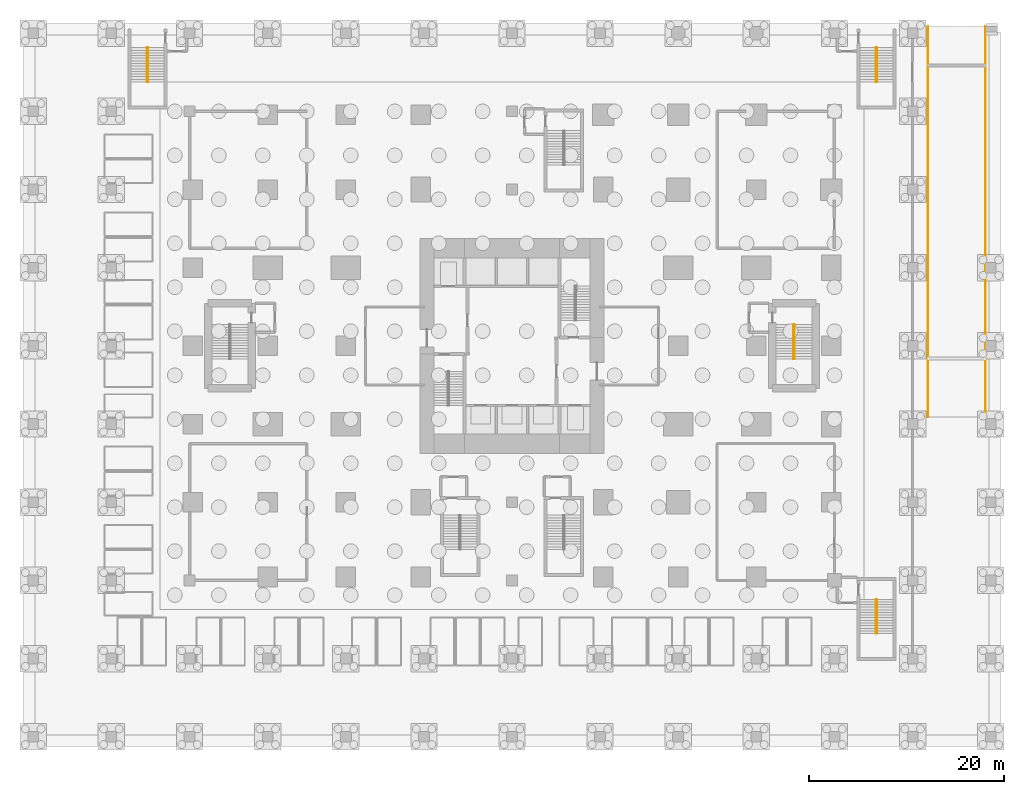
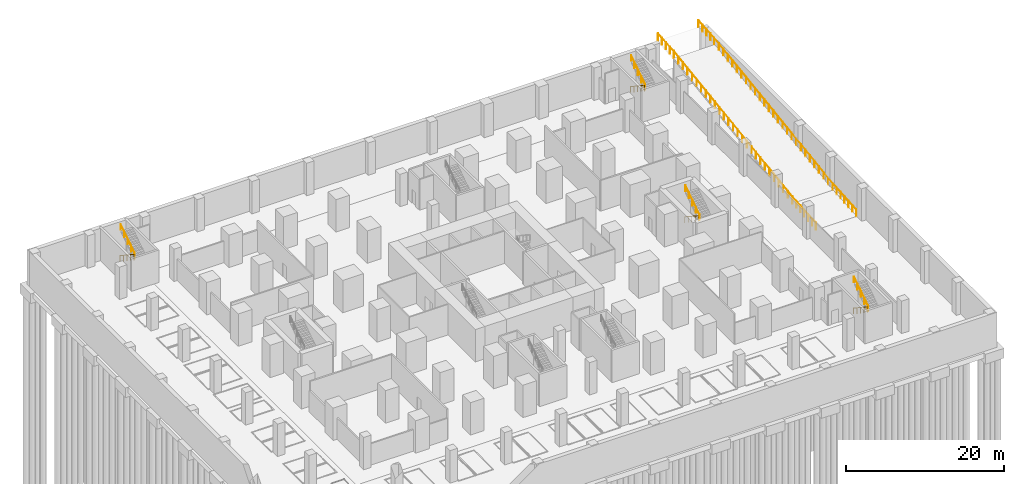
# One storey, part 16 of 17: 10 railings.
"""IFC4 building model written with IfcOpenShell, lengths in metres."""

from ifc_helpers import new_model, si_unit, direction, frame, origin, origin_2d, place, context, subcontext, project, spatial, circle, extrude, material, type_object, element, save


model = new_model("IFC4")

# Units and contexts
model_context = context("Model", 3, precision=1e-05, world=origin(), true_north=direction((0.0, 1.0)))
body_context = subcontext(model_context, "Body", "Model", "MODEL_VIEW")
ifc_project = project(units=[si_unit("LENGTHUNIT", "METRE"), si_unit("AREAUNIT", "SQUARE_METRE"), si_unit("VOLUMEUNIT", "CUBIC_METRE"), si_unit("PLANEANGLEUNIT", "RADIAN"), si_unit("MASSUNIT", "GRAM", prefix="KILO")], contexts=[model_context])

# Site, building, storey
site_placement = place(None, origin())
site = spatial("IfcSite", under=ifc_project, at=site_placement, CompositionType="ELEMENT")
building_placement = place(site_placement, origin())
building = spatial("IfcBuilding", under=site, at=building_placement, Name="Cleftline Residences", CompositionType="ELEMENT")
storey_placement = place(building_placement, frame((0.0, 0.0, -5.0)))
storey = spatial("IfcBuildingStorey", under=building, at=storey_placement, Name="L-01", CompositionType="ELEMENT", Elevation=-5.0)

# Railings
ifc_material_1 = material(Name="Stainless steel", Category="steel")
railing_type_1 = type_object("IfcRailingType", Name="HANDRAIL 900", PredefinedType="HANDRAIL", material=ifc_material_1)
railing_1_placement = place(storey_placement, frame((61.824951171875, 26.175048828125, 0.1787109375)))
element("IfcRailing", 1, at=railing_1_placement, inside=storey, type_object=railing_type_1, Name="Stair handrail", PredefinedType="HANDRAIL", context=body_context, shape_type="SweptSolid", body=[
    extrude(circle(Radius=0.02392578125, at=origin_2d()), frame((0.0, 0.0, 0.8759765625), z_axis=(0.0, -0.834097473627, 0.551617081397), x_axis=(1.0, 0.0, 0.0)), (0.0, 0.0, 1.0), 4.208251953125),
    extrude(circle(Radius=0.02099609375, at=origin_2d()), origin(), (0.0, 0.0, 1.0), 0.851806640625),
    extrude(circle(Radius=0.02099609375, at=origin_2d()), frame((0.0, -0.87744140625, 0.580322265625)), (0.0, 0.0, 1.0), 0.851806640625),
    extrude(circle(Radius=0.02099609375, at=origin_2d()), frame((0.0, -1.7548828125, 1.16064453125)), (0.0, 0.0, 1.0), 0.851806640625),
    extrude(circle(Radius=0.02099609375, at=origin_2d()), frame((0.0, -2.632568359375, 1.740966796875)), (0.0, 0.0, 1.0), 0.851806640625),
    extrude(circle(Radius=0.02099609375, at=origin_2d()), frame((0.0, -3.510009765625, 2.3212890625)), (0.0, 0.0, 1.0), 0.851806640625),
])
railing_2_placement = place(storey_placement, frame((61.925048828125, 22.6650390625, 2.6787109375)))
element("IfcRailing", 2, at=railing_2_placement, inside=storey, type_object=railing_type_1, Name="Stair handrail", PredefinedType="HANDRAIL", context=body_context, shape_type="SweptSolid", body=[
    extrude(circle(Radius=0.02392578125, at=origin_2d()), frame((0.0, 0.0, 0.8759765625), z_axis=(0.0, 0.834097473627, 0.551617081397), x_axis=(-1.0, 0.0, 0.0)), (0.0, 0.0, 1.0), 4.208251953125),
    extrude(circle(Radius=0.02099609375, at=origin_2d()), origin(), (0.0, 0.0, 1.0), 0.851806640625),
    extrude(circle(Radius=0.02099609375, at=origin_2d()), frame((0.0, 0.87744140625, 0.580322265625)), (0.0, 0.0, 1.0), 0.851806640625),
    extrude(circle(Radius=0.02099609375, at=origin_2d()), frame((0.0, 1.7548828125, 1.16064453125)), (0.0, 0.0, 1.0), 0.851806640625),
    extrude(circle(Radius=0.02099609375, at=origin_2d()), frame((0.0, 2.632568359375, 1.740966796875)), (0.0, 0.0, 1.0), 0.851806640625),
    extrude(circle(Radius=0.02099609375, at=origin_2d()), frame((0.0, 3.510009765625, 2.3212890625)), (0.0, 0.0, 1.0), 0.851806640625),
])
railing_3_placement = place(storey_placement, frame((70.25, 54.52001953125, 0.1787109375)))
element("IfcRailing", 3, at=railing_3_placement, inside=storey, type_object=railing_type_1, Name="Stair handrail", PredefinedType="HANDRAIL", context=body_context, shape_type="SweptSolid", body=[
    extrude(circle(Radius=0.02392578125, at=origin_2d()), frame((0.0, 0.0, 0.8759765625), z_axis=(0.0, -0.834097473627, 0.551617081397), x_axis=(1.0, 0.0, 0.0)), (0.0, 0.0, 1.0), 4.208251953125),
    extrude(circle(Radius=0.02099609375, at=origin_2d()), origin(), (0.0, 0.0, 1.0), 0.851806640625),
    extrude(circle(Radius=0.02099609375, at=origin_2d()), frame((0.0, -0.87744140625, 0.580322265625)), (0.0, 0.0, 1.0), 0.851806640625),
    extrude(circle(Radius=0.02099609375, at=origin_2d()), frame((0.0, -1.7548828125, 1.16064453125)), (0.0, 0.0, 1.0), 0.851806640625),
    extrude(circle(Radius=0.02099609375, at=origin_2d()), frame((0.0, -2.632568359375, 1.740966796875)), (0.0, 0.0, 1.0), 0.851806640625),
    extrude(circle(Radius=0.02099609375, at=origin_2d()), frame((0.0, -3.510009765625, 2.3212890625)), (0.0, 0.0, 1.0), 0.851806640625),
])
railing_4_placement = place(storey_placement, frame((70.35009765625, 51.010009765625, 2.6787109375)))
element("IfcRailing", 4, at=railing_4_placement, inside=storey, type_object=railing_type_1, Name="Stair handrail", PredefinedType="HANDRAIL", context=body_context, shape_type="SweptSolid", body=[
    extrude(circle(Radius=0.02392578125, at=origin_2d()), frame((0.0, 0.0, 0.8759765625), z_axis=(0.0, 0.834097473627, 0.551617081397), x_axis=(-1.0, 0.0, 0.0)), (0.0, 0.0, 1.0), 4.208251953125),
    extrude(circle(Radius=0.02099609375, at=origin_2d()), origin(), (0.0, 0.0, 1.0), 0.851806640625),
    extrude(circle(Radius=0.02099609375, at=origin_2d()), frame((0.0, 0.87744140625, 0.580322265625)), (0.0, 0.0, 1.0), 0.851806640625),
    extrude(circle(Radius=0.02099609375, at=origin_2d()), frame((0.0, 1.7548828125, 1.16064453125)), (0.0, 0.0, 1.0), 0.851806640625),
    extrude(circle(Radius=0.02099609375, at=origin_2d()), frame((0.0, 2.632568359375, 1.740966796875)), (0.0, 0.0, 1.0), 0.851806640625),
    extrude(circle(Radius=0.02099609375, at=origin_2d()), frame((0.0, 3.510009765625, 2.3212890625)), (0.0, 0.0, 1.0), 0.851806640625),
])
railing_5_placement = place(storey_placement, frame((70.25, -1.929931640625, 0.1787109375)))
element("IfcRailing", 5, at=railing_5_placement, inside=storey, type_object=railing_type_1, Name="Stair handrail", PredefinedType="HANDRAIL", context=body_context, shape_type="SweptSolid", body=[
    extrude(circle(Radius=0.02392578125, at=origin_2d()), frame((0.0, 0.0, 0.8759765625), z_axis=(0.0, -0.834097473627, 0.551617081397), x_axis=(1.0, 0.0, 0.0)), (0.0, 0.0, 1.0), 4.208251953125),
    extrude(circle(Radius=0.02099609375, at=origin_2d()), origin(), (0.0, 0.0, 1.0), 0.851806640625),
    extrude(circle(Radius=0.02099609375, at=origin_2d()), frame((0.0, -0.87744140625, 0.580322265625)), (0.0, 0.0, 1.0), 0.851806640625),
    extrude(circle(Radius=0.02099609375, at=origin_2d()), frame((0.0, -1.7548828125, 1.16064453125)), (0.0, 0.0, 1.0), 0.851806640625),
    extrude(circle(Radius=0.02099609375, at=origin_2d()), frame((0.0, -2.632568359375, 1.740966796875)), (0.0, 0.0, 1.0), 0.851806640625),
    extrude(circle(Radius=0.02099609375, at=origin_2d()), frame((0.0, -3.510009765625, 2.3212890625)), (0.0, 0.0, 1.0), 0.851806640625),
])
railing_6_placement = place(storey_placement, frame((70.35009765625, -5.43994140625, 2.6787109375)))
element("IfcRailing", 6, at=railing_6_placement, inside=storey, type_object=railing_type_1, Name="Stair handrail", PredefinedType="HANDRAIL", context=body_context, shape_type="SweptSolid", body=[
    extrude(circle(Radius=0.02392578125, at=origin_2d()), frame((0.0, 0.0, 0.8759765625), z_axis=(0.0, 0.834097473627, 0.551617081397), x_axis=(-1.0, 0.0, 0.0)), (0.0, 0.0, 1.0), 4.208251953125),
    extrude(circle(Radius=0.02099609375, at=origin_2d()), origin(), (0.0, 0.0, 1.0), 0.851806640625),
    extrude(circle(Radius=0.02099609375, at=origin_2d()), frame((0.0, 0.87744140625, 0.580322265625)), (0.0, 0.0, 1.0), 0.851806640625),
    extrude(circle(Radius=0.02099609375, at=origin_2d()), frame((0.0, 1.7548828125, 1.16064453125)), (0.0, 0.0, 1.0), 0.851806640625),
    extrude(circle(Radius=0.02099609375, at=origin_2d()), frame((0.0, 2.632568359375, 1.740966796875)), (0.0, 0.0, 1.0), 0.851806640625),
    extrude(circle(Radius=0.02099609375, at=origin_2d()), frame((0.0, 3.510009765625, 2.3212890625)), (0.0, 0.0, 1.0), 0.851806640625),
])
railing_7_placement = place(storey_placement, frame((-4.35009765625, 54.52001953125, 0.1787109375)))
element("IfcRailing", 7, at=railing_7_placement, inside=storey, type_object=railing_type_1, Name="Stair handrail", PredefinedType="HANDRAIL", context=body_context, shape_type="SweptSolid", body=[
    extrude(circle(Radius=0.02392578125, at=origin_2d()), frame((0.0, 0.0, 0.8759765625), z_axis=(0.0, -0.834097473627, 0.551617081397), x_axis=(1.0, 0.0, 0.0)), (0.0, 0.0, 1.0), 4.208251953125),
    extrude(circle(Radius=0.02099609375, at=origin_2d()), origin(), (0.0, 0.0, 1.0), 0.851806640625),
    extrude(circle(Radius=0.02099609375, at=origin_2d()), frame((0.0, -0.87744140625, 0.580322265625)), (0.0, 0.0, 1.0), 0.851806640625),
    extrude(circle(Radius=0.02099609375, at=origin_2d()), frame((0.0, -1.7548828125, 1.16064453125)), (0.0, 0.0, 1.0), 0.851806640625),
    extrude(circle(Radius=0.02099609375, at=origin_2d()), frame((0.0, -2.632568359375, 1.740966796875)), (0.0, 0.0, 1.0), 0.851806640625),
    extrude(circle(Radius=0.02099609375, at=origin_2d()), frame((0.0, -3.510009765625, 2.3212890625)), (0.0, 0.0, 1.0), 0.851806640625),
])
railing_8_placement = place(storey_placement, frame((-4.25, 51.010009765625, 2.6787109375)))
element("IfcRailing", 8, at=railing_8_placement, inside=storey, type_object=railing_type_1, Name="Stair handrail", PredefinedType="HANDRAIL", context=body_context, shape_type="SweptSolid", body=[
    extrude(circle(Radius=0.02392578125, at=origin_2d()), frame((0.0, 0.0, 0.8759765625), z_axis=(0.0, 0.834097473627, 0.551617081397), x_axis=(-1.0, 0.0, 0.0)), (0.0, 0.0, 1.0), 4.208251953125),
    extrude(circle(Radius=0.02099609375, at=origin_2d()), origin(), (0.0, 0.0, 1.0), 0.851806640625),
    extrude(circle(Radius=0.02099609375, at=origin_2d()), frame((0.0, 0.87744140625, 0.580322265625)), (0.0, 0.0, 1.0), 0.851806640625),
    extrude(circle(Radius=0.02099609375, at=origin_2d()), frame((0.0, 1.7548828125, 1.16064453125)), (0.0, 0.0, 1.0), 0.851806640625),
    extrude(circle(Radius=0.02099609375, at=origin_2d()), frame((0.0, 2.632568359375, 1.740966796875)), (0.0, 0.0, 1.0), 0.851806640625),
    extrude(circle(Radius=0.02099609375, at=origin_2d()), frame((0.0, 3.510009765625, 2.3212890625)), (0.0, 0.0, 1.0), 0.851806640625),
])
ifc_material_2 = material(Name="Galvanised steel", Category="steel")
railing_type_2 = type_object("IfcRailingType", Name="RAMP GUARD 1100", PredefinedType="GUARDRAIL", material=ifc_material_2)
railing_9_placement = place(storey_placement, frame((75.550048828125, 56.699951171875, 5.0)))
element("IfcRailing", 9, at=railing_9_placement, inside=storey, type_object=railing_type_2, Name="Ramp guard", PredefinedType="GUARDRAIL", context=body_context, shape_type="SweptSolid", body=[
    extrude(circle(Radius=0.02392578125, at=origin_2d()), frame((0.0, 0.0, 1.076171875), z_axis=(0.0, -0.997455608544, -0.071290314795), x_axis=(1.0, 0.0, 0.0)), (0.0, 0.0, 1.0), 4.01025390625),
    extrude(circle(Radius=0.02392578125, at=origin_2d()), frame((0.0, -4.0, 0.7900390625), z_axis=(0.0, -0.989952071497, -0.141403310213), x_axis=(1.0, 0.0, 0.0)), (0.0, 0.0, 1.0), 30.304443359375),
    extrude(circle(Radius=0.02392578125, at=origin_2d()), frame((0.0, -34.0, -3.4951171875), z_axis=(0.0, -0.997454165308, -0.071310504901), x_axis=(1.0, 0.0, 0.0)), (0.0, 0.0, 1.0), 6.015380859375),
    extrude(circle(Radius=0.02099609375, at=origin_2d()), origin(), (0.0, 0.0, 1.0), 1.052001953125),
    extrude(circle(Radius=0.02099609375, at=origin_2d()), frame((0.0, -1.0, -0.071533203125)), (0.0, 0.0, 1.0), 1.052001953125),
    extrude(circle(Radius=0.02099609375, at=origin_2d()), frame((0.0, -2.0, -0.14306640625)), (0.0, 0.0, 1.0), 1.052001953125),
    extrude(circle(Radius=0.02099609375, at=origin_2d()), frame((0.0, -3.0, -0.21435546875)), (0.0, 0.0, 1.0), 1.052001953125),
    extrude(circle(Radius=0.02099609375, at=origin_2d()), frame((0.0, -4.0, -0.285888671875)), (0.0, 0.0, 1.0), 1.052001953125),
    extrude(circle(Radius=0.02099609375, at=origin_2d()), frame((0.0, -5.15380859375, -0.45068359375)), (0.0, 0.0, 1.0), 1.052001953125),
    extrude(circle(Radius=0.02099609375, at=origin_2d()), frame((0.0, -6.3076171875, -0.615478515625)), (0.0, 0.0, 1.0), 1.052001953125),
    extrude(circle(Radius=0.02099609375, at=origin_2d()), frame((0.0, -7.46142578125, -0.7802734375)), (0.0, 0.0, 1.0), 1.052001953125),
    extrude(circle(Radius=0.02099609375, at=origin_2d()), frame((0.0, -8.615478515625, -0.945068359375)), (0.0, 0.0, 1.0), 1.052001953125),
    extrude(circle(Radius=0.02099609375, at=origin_2d()), frame((0.0, -9.769287109375, -1.10986328125)), (0.0, 0.0, 1.0), 1.052001953125),
    extrude(circle(Radius=0.02099609375, at=origin_2d()), frame((0.0, -10.923095703125, -1.274658203125)), (0.0, 0.0, 1.0), 1.052001953125),
    extrude(circle(Radius=0.02099609375, at=origin_2d()), frame((0.0, -12.076904296875, -1.439697265625)), (0.0, 0.0, 1.0), 1.052001953125),
    extrude(circle(Radius=0.02099609375, at=origin_2d()), frame((0.0, -13.230712890625, -1.6044921875)), (0.0, 0.0, 1.0), 1.052001953125),
    extrude(circle(Radius=0.02099609375, at=origin_2d()), frame((0.0, -14.384521484375, -1.769287109375)), (0.0, 0.0, 1.0), 1.052001953125),
    extrude(circle(Radius=0.02099609375, at=origin_2d()), frame((0.0, -15.53857421875, -1.93408203125)), (0.0, 0.0, 1.0), 1.052001953125),
    extrude(circle(Radius=0.02099609375, at=origin_2d()), frame((0.0, -16.6923828125, -2.098876953125)), (0.0, 0.0, 1.0), 1.052001953125),
    extrude(circle(Radius=0.02099609375, at=origin_2d()), frame((0.0, -17.84619140625, -2.263671875)), (0.0, 0.0, 1.0), 1.052001953125),
    extrude(circle(Radius=0.02099609375, at=origin_2d()), frame((0.0, -19.0, -2.428466796875)), (0.0, 0.0, 1.0), 1.052001953125),
    extrude(circle(Radius=0.02099609375, at=origin_2d()), frame((0.0, -20.15380859375, -2.59326171875)), (0.0, 0.0, 1.0), 1.052001953125),
    extrude(circle(Radius=0.02099609375, at=origin_2d()), frame((0.0, -21.3076171875, -2.758056640625)), (0.0, 0.0, 1.0), 1.052001953125),
    extrude(circle(Radius=0.02099609375, at=origin_2d()), frame((0.0, -22.46142578125, -2.9228515625)), (0.0, 0.0, 1.0), 1.052001953125),
    extrude(circle(Radius=0.02099609375, at=origin_2d()), frame((0.0, -23.615478515625, -3.087646484375)), (0.0, 0.0, 1.0), 1.052001953125),
    extrude(circle(Radius=0.02099609375, at=origin_2d()), frame((0.0, -24.769287109375, -3.25244140625)), (0.0, 0.0, 1.0), 1.052001953125),
    extrude(circle(Radius=0.02099609375, at=origin_2d()), frame((0.0, -25.923095703125, -3.417236328125)), (0.0, 0.0, 1.0), 1.052001953125),
    extrude(circle(Radius=0.02099609375, at=origin_2d()), frame((0.0, -27.076904296875, -3.582275390625)), (0.0, 0.0, 1.0), 1.052001953125),
    extrude(circle(Radius=0.02099609375, at=origin_2d()), frame((0.0, -28.230712890625, -3.7470703125)), (0.0, 0.0, 1.0), 1.052001953125),
    extrude(circle(Radius=0.02099609375, at=origin_2d()), frame((0.0, -29.384521484375, -3.911865234375)), (0.0, 0.0, 1.0), 1.052001953125),
    extrude(circle(Radius=0.02099609375, at=origin_2d()), frame((0.0, -30.53857421875, -4.07666015625)), (0.0, 0.0, 1.0), 1.052001953125),
    extrude(circle(Radius=0.02099609375, at=origin_2d()), frame((0.0, -31.6923828125, -4.241455078125)), (0.0, 0.0, 1.0), 1.052001953125),
    extrude(circle(Radius=0.02099609375, at=origin_2d()), frame((0.0, -32.84619140625, -4.40625)), (0.0, 0.0, 1.0), 1.052001953125),
    extrude(circle(Radius=0.02099609375, at=origin_2d()), frame((0.0, -34.0, -4.571044921875)), (0.0, 0.0, 1.0), 1.052001953125),
    extrude(circle(Radius=0.02099609375, at=origin_2d()), frame((0.0, -35.0, -4.642578125)), (0.0, 0.0, 1.0), 1.052001953125),
    extrude(circle(Radius=0.02099609375, at=origin_2d()), frame((0.0, -36.0, -4.714111328125)), (0.0, 0.0, 1.0), 1.052001953125),
    extrude(circle(Radius=0.02099609375, at=origin_2d()), frame((0.0, -37.0, -4.78564453125)), (0.0, 0.0, 1.0), 1.052001953125),
    extrude(circle(Radius=0.02099609375, at=origin_2d()), frame((0.0, -38.0, -4.85693359375)), (0.0, 0.0, 1.0), 1.052001953125),
    extrude(circle(Radius=0.02099609375, at=origin_2d()), frame((0.0, -39.0, -4.928466796875)), (0.0, 0.0, 1.0), 1.052001953125),
    extrude(circle(Radius=0.02099609375, at=origin_2d()), frame((0.0, -40.0, -5.0)), (0.0, 0.0, 1.0), 1.052001953125),
])
railing_10_placement = place(storey_placement, frame((81.449951171875, 56.699951171875, 5.0)))
element("IfcRailing", 10, at=railing_10_placement, inside=storey, type_object=railing_type_2, Name="Ramp guard", PredefinedType="GUARDRAIL", context=body_context, shape_type="SweptSolid", body=[
    extrude(circle(Radius=0.02392578125, at=origin_2d()), frame((0.0, 0.0, 1.076171875), z_axis=(0.0, -0.997455608544, -0.071290314795), x_axis=(1.0, 0.0, 0.0)), (0.0, 0.0, 1.0), 4.01025390625),
    extrude(circle(Radius=0.02392578125, at=origin_2d()), frame((0.0, -4.0, 0.7900390625), z_axis=(0.0, -0.989952071497, -0.141403310213), x_axis=(1.0, 0.0, 0.0)), (0.0, 0.0, 1.0), 30.304443359375),
    extrude(circle(Radius=0.02392578125, at=origin_2d()), frame((0.0, -34.0, -3.4951171875), z_axis=(0.0, -0.997454165308, -0.071310504901), x_axis=(1.0, 0.0, 0.0)), (0.0, 0.0, 1.0), 6.015380859375),
    extrude(circle(Radius=0.02099609375, at=origin_2d()), origin(), (0.0, 0.0, 1.0), 1.052001953125),
    extrude(circle(Radius=0.02099609375, at=origin_2d()), frame((0.0, -1.0, -0.071533203125)), (0.0, 0.0, 1.0), 1.052001953125),
    extrude(circle(Radius=0.02099609375, at=origin_2d()), frame((0.0, -2.0, -0.14306640625)), (0.0, 0.0, 1.0), 1.052001953125),
    extrude(circle(Radius=0.02099609375, at=origin_2d()), frame((0.0, -3.0, -0.21435546875)), (0.0, 0.0, 1.0), 1.052001953125),
    extrude(circle(Radius=0.02099609375, at=origin_2d()), frame((0.0, -4.0, -0.285888671875)), (0.0, 0.0, 1.0), 1.052001953125),
    extrude(circle(Radius=0.02099609375, at=origin_2d()), frame((0.0, -5.15380859375, -0.45068359375)), (0.0, 0.0, 1.0), 1.052001953125),
    extrude(circle(Radius=0.02099609375, at=origin_2d()), frame((0.0, -6.3076171875, -0.615478515625)), (0.0, 0.0, 1.0), 1.052001953125),
    extrude(circle(Radius=0.02099609375, at=origin_2d()), frame((0.0, -7.46142578125, -0.7802734375)), (0.0, 0.0, 1.0), 1.052001953125),
    extrude(circle(Radius=0.02099609375, at=origin_2d()), frame((0.0, -8.615478515625, -0.945068359375)), (0.0, 0.0, 1.0), 1.052001953125),
    extrude(circle(Radius=0.02099609375, at=origin_2d()), frame((0.0, -9.769287109375, -1.10986328125)), (0.0, 0.0, 1.0), 1.052001953125),
    extrude(circle(Radius=0.02099609375, at=origin_2d()), frame((0.0, -10.923095703125, -1.274658203125)), (0.0, 0.0, 1.0), 1.052001953125),
    extrude(circle(Radius=0.02099609375, at=origin_2d()), frame((0.0, -12.076904296875, -1.439697265625)), (0.0, 0.0, 1.0), 1.052001953125),
    extrude(circle(Radius=0.02099609375, at=origin_2d()), frame((0.0, -13.230712890625, -1.6044921875)), (0.0, 0.0, 1.0), 1.052001953125),
    extrude(circle(Radius=0.02099609375, at=origin_2d()), frame((0.0, -14.384521484375, -1.769287109375)), (0.0, 0.0, 1.0), 1.052001953125),
    extrude(circle(Radius=0.02099609375, at=origin_2d()), frame((0.0, -15.53857421875, -1.93408203125)), (0.0, 0.0, 1.0), 1.052001953125),
    extrude(circle(Radius=0.02099609375, at=origin_2d()), frame((0.0, -16.6923828125, -2.098876953125)), (0.0, 0.0, 1.0), 1.052001953125),
    extrude(circle(Radius=0.02099609375, at=origin_2d()), frame((0.0, -17.84619140625, -2.263671875)), (0.0, 0.0, 1.0), 1.052001953125),
    extrude(circle(Radius=0.02099609375, at=origin_2d()), frame((0.0, -19.0, -2.428466796875)), (0.0, 0.0, 1.0), 1.052001953125),
    extrude(circle(Radius=0.02099609375, at=origin_2d()), frame((0.0, -20.15380859375, -2.59326171875)), (0.0, 0.0, 1.0), 1.052001953125),
    extrude(circle(Radius=0.02099609375, at=origin_2d()), frame((0.0, -21.3076171875, -2.758056640625)), (0.0, 0.0, 1.0), 1.052001953125),
    extrude(circle(Radius=0.02099609375, at=origin_2d()), frame((0.0, -22.46142578125, -2.9228515625)), (0.0, 0.0, 1.0), 1.052001953125),
    extrude(circle(Radius=0.02099609375, at=origin_2d()), frame((0.0, -23.615478515625, -3.087646484375)), (0.0, 0.0, 1.0), 1.052001953125),
    extrude(circle(Radius=0.02099609375, at=origin_2d()), frame((0.0, -24.769287109375, -3.25244140625)), (0.0, 0.0, 1.0), 1.052001953125),
    extrude(circle(Radius=0.02099609375, at=origin_2d()), frame((0.0, -25.923095703125, -3.417236328125)), (0.0, 0.0, 1.0), 1.052001953125),
    extrude(circle(Radius=0.02099609375, at=origin_2d()), frame((0.0, -27.076904296875, -3.582275390625)), (0.0, 0.0, 1.0), 1.052001953125),
    extrude(circle(Radius=0.02099609375, at=origin_2d()), frame((0.0, -28.230712890625, -3.7470703125)), (0.0, 0.0, 1.0), 1.052001953125),
    extrude(circle(Radius=0.02099609375, at=origin_2d()), frame((0.0, -29.384521484375, -3.911865234375)), (0.0, 0.0, 1.0), 1.052001953125),
    extrude(circle(Radius=0.02099609375, at=origin_2d()), frame((0.0, -30.53857421875, -4.07666015625)), (0.0, 0.0, 1.0), 1.052001953125),
    extrude(circle(Radius=0.02099609375, at=origin_2d()), frame((0.0, -31.6923828125, -4.241455078125)), (0.0, 0.0, 1.0), 1.052001953125),
    extrude(circle(Radius=0.02099609375, at=origin_2d()), frame((0.0, -32.84619140625, -4.40625)), (0.0, 0.0, 1.0), 1.052001953125),
    extrude(circle(Radius=0.02099609375, at=origin_2d()), frame((0.0, -34.0, -4.571044921875)), (0.0, 0.0, 1.0), 1.052001953125),
    extrude(circle(Radius=0.02099609375, at=origin_2d()), frame((0.0, -35.0, -4.642578125)), (0.0, 0.0, 1.0), 1.052001953125),
    extrude(circle(Radius=0.02099609375, at=origin_2d()), frame((0.0, -36.0, -4.714111328125)), (0.0, 0.0, 1.0), 1.052001953125),
    extrude(circle(Radius=0.02099609375, at=origin_2d()), frame((0.0, -37.0, -4.78564453125)), (0.0, 0.0, 1.0), 1.052001953125),
    extrude(circle(Radius=0.02099609375, at=origin_2d()), frame((0.0, -38.0, -4.85693359375)), (0.0, 0.0, 1.0), 1.052001953125),
    extrude(circle(Radius=0.02099609375, at=origin_2d()), frame((0.0, -39.0, -4.928466796875)), (0.0, 0.0, 1.0), 1.052001953125),
    extrude(circle(Radius=0.02099609375, at=origin_2d()), frame((0.0, -40.0, -5.0)), (0.0, 0.0, 1.0), 1.052001953125),
])

save(model, "model.ifc")
